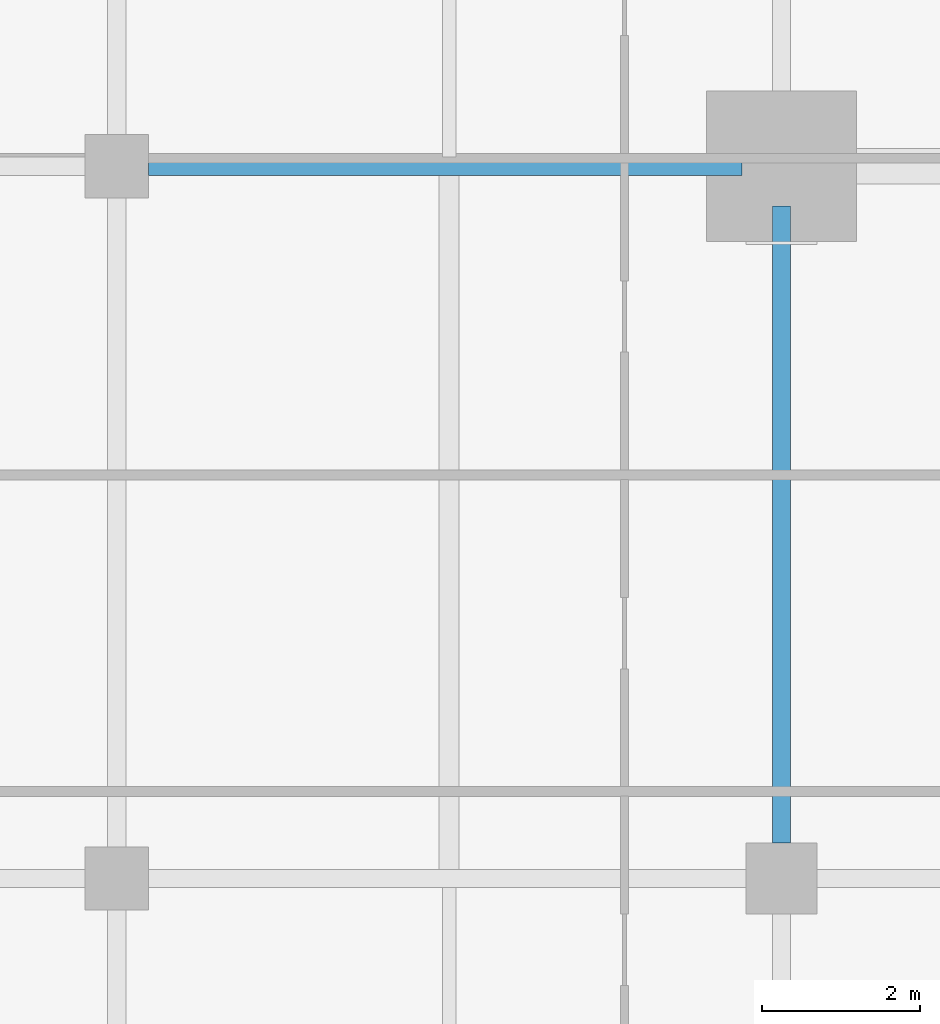
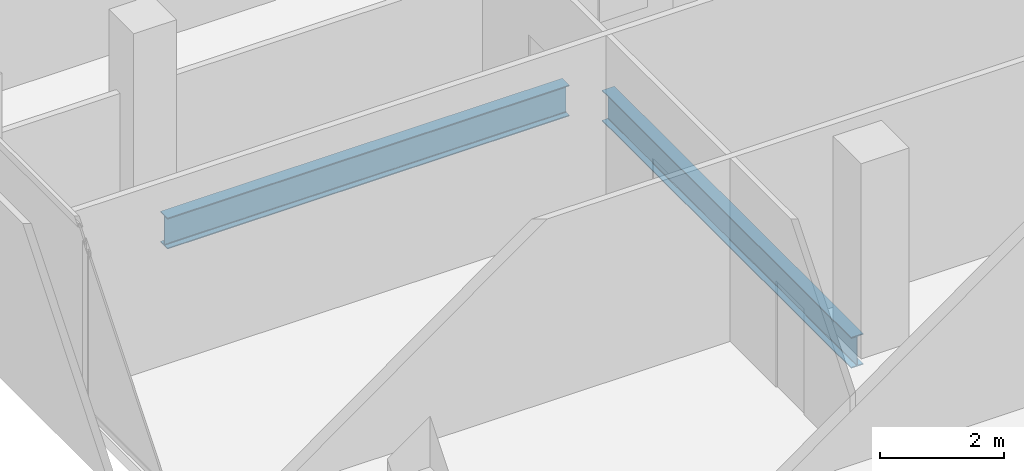
# One storey, part 9 of 34: 2 beams.
"""IFC4 building model written with IfcOpenShell, lengths in metres."""

from ifc_helpers import new_model, si_unit, direction, frame, origin, origin_2d, place, context, subcontext, project, spatial, i_section, extrude, material, material_profile, profile_set, type_object, element, save


model = new_model("IFC4")

# Units and contexts
model_context = context("Model", 3, precision=1e-05, world=origin(), true_north=direction((0.0, 1.0)))
body_context = subcontext(model_context, "Body", "Model", "MODEL_VIEW")
ifc_project = project(units=[si_unit("LENGTHUNIT", "METRE"), si_unit("AREAUNIT", "SQUARE_METRE"), si_unit("VOLUMEUNIT", "CUBIC_METRE"), si_unit("PLANEANGLEUNIT", "RADIAN"), si_unit("MASSUNIT", "GRAM", prefix="KILO")], contexts=[model_context])

# Site, building, storey
site_placement = place(None, origin())
site = spatial("IfcSite", under=ifc_project, at=site_placement, CompositionType="ELEMENT")
building_placement = place(site_placement, origin())
building = spatial("IfcBuilding", under=site, at=building_placement, Name="Maruvema Waterfront Hotel and Observation Tower", CompositionType="ELEMENT")
storey_placement = place(building_placement, frame((0.0, 0.0, 131.25)))
storey = spatial("IfcBuildingStorey", under=building, at=storey_placement, Name="L31", CompositionType="ELEMENT", Elevation=131.25)

# Beams
ifc_material = material(Name="Steel ASTM A572 Grade 50", Category="steel")
ifc_material_profile = material_profile(ifc_material, i_section(OverallWidth=0.22900390625, OverallDepth=0.612060546875, WebThickness=0.011962890625, FlangeThickness=0.01953125, FilletRadius=0.01806640625, at=origin_2d()), Name="W610x125.0")
ifc_profile_set = profile_set([ifc_material_profile], Name="Steel ASTM A572 Grade 50")
beam_type = type_object("IfcBeamType", Name="Primary Floor Girder W610x125.0", PredefinedType="BEAM", material=ifc_profile_set)
beam_1_placement = place(storey_placement, frame((17.199951171875, 27.0, -0.5458984375), z_axis=(1.0, 0.0, 0.0), x_axis=(0.0, 1.0, 0.0)))
element("IfcBeam", 1, at=beam_1_placement, inside=storey, type_object=beam_type, Name="L31 Floor Girder EW-19", PredefinedType="BEAM", context=body_context, shape_type="SweptSolid", body=[
    extrude(i_section(OverallWidth=0.22900390625, OverallDepth=0.612060546875, WebThickness=0.011962890625, FlangeThickness=0.01953125, FilletRadius=0.01806640625, at=origin_2d()), origin(), (0.0, 0.0, 1.0), 7.5),
])
beam_2_placement = place(storey_placement, frame((25.199951171875, 18.449951171875, -0.5458984375), z_axis=(0.0, 1.0, 0.0), x_axis=(-1.0, 0.0, 0.0)))
element("IfcBeam", 2, at=beam_2_placement, inside=storey, type_object=beam_type, Name="L31 Floor Girder NS-11", PredefinedType="BEAM", context=body_context, shape_type="SweptSolid", body=[
    extrude(i_section(OverallWidth=0.22900390625, OverallDepth=0.612060546875, WebThickness=0.011962890625, FlangeThickness=0.01953125, FilletRadius=0.01806640625, at=origin_2d()), origin(), (0.0, 0.0, 1.0), 8.050048828125),
])

save(model, "model.ifc")
